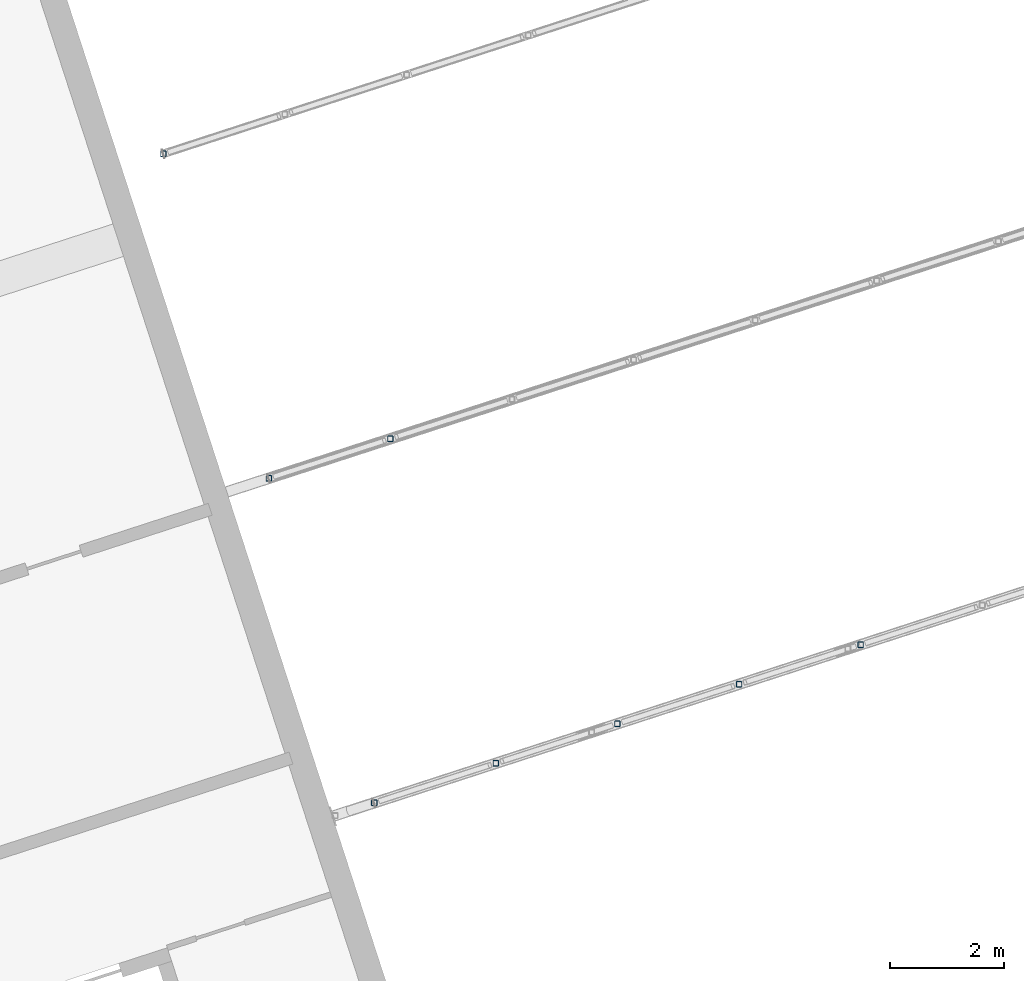
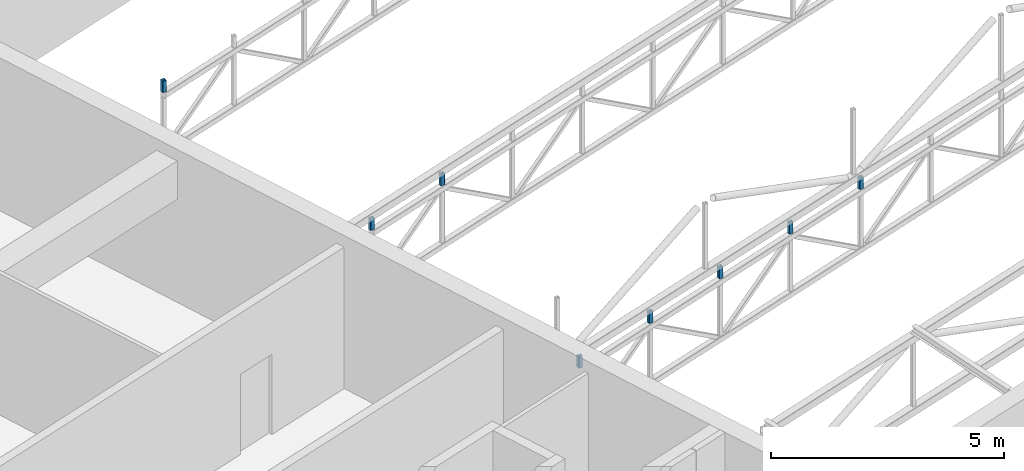
# One storey, part 57 of 81: 8 members.
"""IFC4 building model written with IfcOpenShell, lengths in metres."""

from ifc_helpers import new_model, si_unit, direction, frame, origin, origin_2d, place, context, subcontext, project, spatial, hollow_rectangle, extrude, material, material_profile, profile_set, type_object, element, save


model = new_model("IFC4")

# Units and contexts
model_context = context("Model", 3, precision=1e-05, world=origin(), true_north=direction((0.0, 1.0)))
body_context = subcontext(model_context, "Body", "Model", "MODEL_VIEW")
ifc_project = project(units=[si_unit("LENGTHUNIT", "METRE"), si_unit("AREAUNIT", "SQUARE_METRE"), si_unit("VOLUMEUNIT", "CUBIC_METRE"), si_unit("PLANEANGLEUNIT", "RADIAN"), si_unit("MASSUNIT", "GRAM", prefix="KILO")], contexts=[model_context])

# Site, building, storey
site_placement = place(None, origin())
site = spatial("IfcSite", under=ifc_project, at=site_placement, CompositionType="ELEMENT")
building_placement = place(site_placement, origin())
building = spatial("IfcBuilding", under=site, at=building_placement, Name="Tuart Plaza Theatre", CompositionType="ELEMENT")
storey_placement = place(building_placement, frame((0.0, 0.0, 17.5)))
storey = spatial("IfcBuildingStorey", under=building, at=storey_placement, Name="L04", CompositionType="ELEMENT", Elevation=17.5)

# Members
ifc_material = material(Name="Steel Grade C350L0", Category="steel")
ifc_material_profile = material_profile(ifc_material, hollow_rectangle(XDim=0.10009765625, YDim=0.10009765625, WallThickness=0.006103515625, InnerFilletRadius=0.006103515625, OuterFilletRadius=0.011962890625, at=origin_2d()), Name="100x100x6 SHS")
ifc_profile_set = profile_set([ifc_material_profile], Name="Steel Grade C350L0")
member_type = type_object("IfcMemberType", Name="MEMBER Post 100x100x6 SHS", PredefinedType="POST", material=ifc_profile_set)
for number, where, z_axis, x_axis, name in (
    (1, (48.169921875, 50.868408203125, 2.599365234375), (0.0, 0.0, 1.0), (1.0, 0.0, 0.0), "PO122"),
    (2, (50.307861328125, 51.563232421875, 2.599365234375), (0.0, 0.0, 1.0), (1.0, 0.0, 0.0), "PO123"),
    (3, (52.44580078125, 52.2578125, 2.599365234375), (0.0, 0.0, 1.0), (1.0, 0.0, 0.0), "PO124"),
    (4, (54.58349609375, 52.952392578125, 2.599365234375), (0.0, 0.0, 1.0), (1.0, 0.0, 0.0), "PO125"),
    (5, (56.721435546875, 53.647216796875, 2.599365234375), (0.0, 0.0, 1.0), (1.0, 0.0, 0.0), "PO126"),
    (6, (46.31591796875, 56.574951171875, 3.3916015625), (0.0, 0.0, 1.0), (1.0, 0.0, 0.0), "PO148"),
    (7, (48.45361328125, 57.26953125, 3.3916015625), (0.0, 0.0, 1.0), (1.0, 0.0, 0.0), "PO149"),
    (8, (44.461669921875, 62.28125, 4.183837890625), (0.0, 0.0, 1.0), (1.0, 0.0, 0.0), "PO174"),
):
    element("IfcMember", number, at=place(storey_placement, frame(where, z_axis=z_axis, x_axis=x_axis)), inside=storey, type_object=member_type, Name=name, PredefinedType="POST", context=body_context, shape_type="SweptSolid", body=[
        extrude(hollow_rectangle(XDim=0.10009765625, YDim=0.10009765625, WallThickness=0.006103515625, InnerFilletRadius=0.006103515625, OuterFilletRadius=0.011962890625, at=origin_2d()), origin(), (0.0, 0.0, 1.0), 0.300048828125),
    ])

save(model, "model.ifc")
